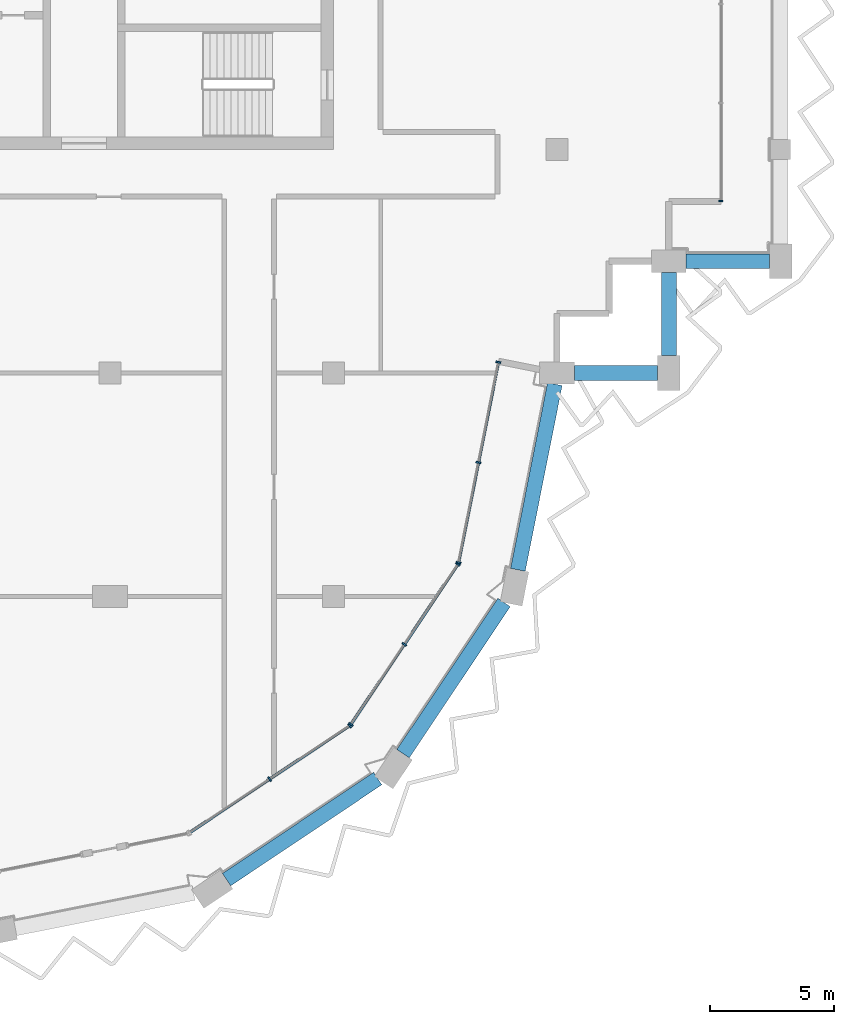
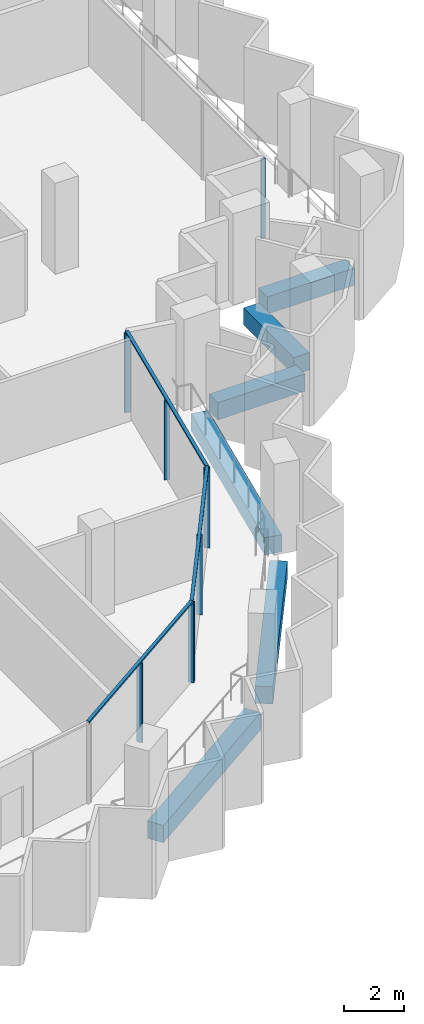
# One storey, part 3 of 14: 12 members, 6 beams, 4 elements without a shape of their own.
"""IFC4 building model written with IfcOpenShell, lengths in metres."""

from ifc_helpers import new_model, si_unit, direction, frame, origin, origin_2d, place, context, subcontext, project, spatial, rectangle, extrude, material, material_profile, profile_set, type_object, element, aggregate, save


model = new_model("IFC4")

# Units and contexts
model_context = context("Model", 3, precision=1e-05, world=origin(), true_north=direction((0.0, 1.0)))
body_context = subcontext(model_context, "Body", "Model", "MODEL_VIEW")
ifc_project = project(units=[si_unit("LENGTHUNIT", "METRE"), si_unit("AREAUNIT", "SQUARE_METRE"), si_unit("VOLUMEUNIT", "CUBIC_METRE"), si_unit("PLANEANGLEUNIT", "RADIAN"), si_unit("MASSUNIT", "GRAM", prefix="KILO")], contexts=[model_context])

# Site, building, storey
site_placement = place(None, origin())
site = spatial("IfcSite", under=ifc_project, at=site_placement, CompositionType="ELEMENT")
building_placement = place(site_placement, origin())
building = spatial("IfcBuilding", under=site, at=building_placement, Name="Hunhe Ridgeline Campus", CompositionType="ELEMENT")
storey_placement = place(building_placement, frame((0.0, 0.0, 284.5)))
storey = spatial("IfcBuildingStorey", under=building, at=storey_placement, Name="L73", CompositionType="ELEMENT", Elevation=284.5)

# Curtain wall, member
ifc_material_1 = material(Name="Aluminium 6063", Category="aluminium")
curtain_wall_type_1 = type_object("IfcCurtainWallType", Name="Curtain wall CW-1", PredefinedType="NOTDEFINED", material=ifc_material_1)
curtain_wall_1_placement = place(storey_placement, origin())
curtain_wall_1 = element("IfcCurtainWall", 1, at=curtain_wall_1_placement, inside=storey, type_object=curtain_wall_type_1, Name="Curtain wall 11", PredefinedType="NOTDEFINED")
ifc_material_profile_1 = material_profile(ifc_material_1, rectangle(XDim=0.159912109375, YDim=0.06005859375, at=origin_2d()))
ifc_profile_set_1 = profile_set([ifc_material_profile_1], Name="Aluminium 6063")
member_type_1 = type_object("IfcMemberType", Name="CW-1 aluminium mullion", PredefinedType="MULLION", material=ifc_profile_set_1)
member_1_placement = place(storey_placement, frame((51.59912109375, 60.930908203125, 0.0), z_axis=(0.0, 0.0, 1.0), x_axis=(-1.0, 0.0, 0.0)))
member_1 = element("IfcMember", 2, at=member_1_placement, type_object=member_type_1, Name="CW-1 mullion 1", PredefinedType="MULLION", context=body_context, shape_type="SweptSolid", body=[
    extrude(rectangle(XDim=0.159912109375, YDim=0.06005859375, at=origin_2d()), origin(), (0.0, 0.0, 1.0), 3.239990234375),
])
aggregate(curtain_wall_1, [member_1])

# Curtain wall, members
curtain_wall_type_2 = type_object("IfcCurtainWallType", Name="Curtain wall CW-5", PredefinedType="NOTDEFINED", material=ifc_material_1)
curtain_wall_2_placement = place(storey_placement, origin())
curtain_wall_2 = element("IfcCurtainWall", 3, at=curtain_wall_2_placement, inside=storey, type_object=curtain_wall_type_2, Name="Curtain wall 08", PredefinedType="NOTDEFINED")
ifc_material_profile_2 = material_profile(ifc_material_1, rectangle(XDim=0.199951171875, YDim=0.070068359375, at=origin_2d()))
ifc_profile_set_2 = profile_set([ifc_material_profile_2], Name="Aluminium 6063")
member_type_2 = type_object("IfcMemberType", Name="CW-5 aluminium mullion", PredefinedType="MULLION", material=ifc_profile_set_2)
member_2_placement = place(storey_placement, frame((33.42626953125, 37.647705078125, 0.0), z_axis=(0.0, 0.0, 1.0), x_axis=(-0.555570274596, 0.831469584522, 0.0)))
member_2 = element("IfcMember", 4, at=member_2_placement, type_object=member_type_2, Name="CW-5 mullion 2", PredefinedType="MULLION", context=body_context, shape_type="SweptSolid", body=[
    extrude(rectangle(XDim=0.199951171875, YDim=0.070068359375, at=origin_2d()), origin(), (0.0, 0.0, 1.0), 3.22998046875),
])
member_3_placement = place(storey_placement, frame((36.649658203125, 39.8017578125, 0.0), z_axis=(0.0, 0.0, 1.0), x_axis=(-0.555570274596, 0.831469584522, 0.0)))
member_3 = element("IfcMember", 5, at=member_3_placement, type_object=member_type_2, Name="CW-5 mullion 3", PredefinedType="MULLION", context=body_context, shape_type="SweptSolid", body=[
    extrude(rectangle(XDim=0.199951171875, YDim=0.070068359375, at=origin_2d()), origin(), (0.0, 0.0, 1.0), 3.22998046875),
])

curtain_wall_3_placement = place(storey_placement, origin())
curtain_wall_3 = element("IfcCurtainWall", 6, at=curtain_wall_3_placement, inside=storey, type_object=curtain_wall_type_2, Name="Curtain wall 09", PredefinedType="NOTDEFINED")
member_4_placement = place(storey_placement, frame((36.6982421875, 39.850341796875, 0.0), z_axis=(0.0, 0.0, 1.0), x_axis=(-0.831469584522, 0.555570274596, 0.0)))
member_4 = element("IfcMember", 7, at=member_4_placement, type_object=member_type_2, Name="CW-5 mullion 1", PredefinedType="MULLION", context=body_context, shape_type="SweptSolid", body=[
    extrude(rectangle(XDim=0.199951171875, YDim=0.070068359375, at=origin_2d()), origin(), (0.0, 0.0, 1.0), 3.22998046875),
])
member_5_placement = place(storey_placement, frame((38.852294921875, 43.07373046875, 0.0), z_axis=(0.0, 0.0, 1.0), x_axis=(-0.831469584522, 0.555570274596, 0.0)))
member_5 = element("IfcMember", 8, at=member_5_placement, type_object=member_type_2, Name="CW-5 mullion 2", PredefinedType="MULLION", context=body_context, shape_type="SweptSolid", body=[
    extrude(rectangle(XDim=0.199951171875, YDim=0.070068359375, at=origin_2d()), origin(), (0.0, 0.0, 1.0), 3.22998046875),
])
member_6_placement = place(storey_placement, frame((41.006103515625, 46.29736328125, 0.0), z_axis=(0.0, 0.0, 1.0), x_axis=(-0.831469584522, 0.555570274596, 0.0)))
member_6 = element("IfcMember", 9, at=member_6_placement, type_object=member_type_2, Name="CW-5 mullion 3", PredefinedType="MULLION", context=body_context, shape_type="SweptSolid", body=[
    extrude(rectangle(XDim=0.199951171875, YDim=0.070068359375, at=origin_2d()), origin(), (0.0, 0.0, 1.0), 3.22998046875),
])

curtain_wall_4_placement = place(storey_placement, origin())
curtain_wall_4 = element("IfcCurtainWall", 10, at=curtain_wall_4_placement, inside=storey, type_object=curtain_wall_type_2, Name="Curtain wall 10", PredefinedType="NOTDEFINED")
member_7_placement = place(storey_placement, frame((41.032470703125, 46.36083984375, 0.0), z_axis=(0.0, 0.0, 1.0), x_axis=(-0.980782515828, 0.19510421996, 0.0)))
member_7 = element("IfcMember", 11, at=member_7_placement, type_object=member_type_2, Name="CW-5 mullion 1", PredefinedType="MULLION", context=body_context, shape_type="SweptSolid", body=[
    extrude(rectangle(XDim=0.199951171875, YDim=0.070068359375, at=origin_2d()), origin(), (0.0, 0.0, 1.0), 3.22998046875),
])
member_8_placement = place(storey_placement, frame((41.83544921875, 50.397705078125, 0.0), z_axis=(0.0, 0.0, 1.0), x_axis=(-0.980782515828, 0.19510421996, 0.0)))
member_8 = element("IfcMember", 12, at=member_8_placement, type_object=member_type_2, Name="CW-5 mullion 2", PredefinedType="MULLION", context=body_context, shape_type="SweptSolid", body=[
    extrude(rectangle(XDim=0.199951171875, YDim=0.070068359375, at=origin_2d()), origin(), (0.0, 0.0, 1.0), 3.22998046875),
])
member_9_placement = place(storey_placement, frame((42.638427734375, 54.4345703125, 0.0), z_axis=(0.0, 0.0, 1.0), x_axis=(-0.980782515828, 0.19510421996, 0.0)))
member_9 = element("IfcMember", 13, at=member_9_placement, type_object=member_type_2, Name="CW-5 mullion 3", PredefinedType="MULLION", context=body_context, shape_type="SweptSolid", body=[
    extrude(rectangle(XDim=0.199951171875, YDim=0.070068359375, at=origin_2d()), origin(), (0.0, 0.0, 1.0), 3.22998046875),
])

# Member
ifc_material_profile_3 = material_profile(ifc_material_1, rectangle(XDim=0.1201171875, YDim=0.070068359375, at=origin_2d()))
ifc_profile_set_3 = profile_set([ifc_material_profile_3], Name="Aluminium 6063")
member_type_3 = type_object("IfcMemberType", Name="CW-5 aluminium transom", PredefinedType="USERDEFINED", material=ifc_profile_set_3)
member_10_placement = place(storey_placement, frame((30.173583984375, 35.474365234375, 3.264892578125), z_axis=(0.831473763475, 0.5555640203, 0.0), x_axis=(-0.5555640203, 0.831473763475, 0.0)))
member_10 = element("IfcMember", 14, at=member_10_placement, type_object=member_type_3, Name="CW-5 transom 1", ObjectType="TRANSOM", PredefinedType="USERDEFINED", context=body_context, shape_type="SweptSolid", body=[
    extrude(rectangle(XDim=0.1201171875, YDim=0.070068359375, at=origin_2d()), origin(), (0.0, 0.0, 1.0), 7.823974609375),
])

aggregate(curtain_wall_2, [member_10, member_2, member_3])

member_11_placement = place(storey_placement, frame((36.678955078125, 39.821044921875, 3.264892578125), z_axis=(0.5555640203, 0.831473763475, 0.0), x_axis=(-0.831473763475, 0.5555640203, 0.0)))
member_11 = element("IfcMember", 15, at=member_11_placement, type_object=member_type_3, Name="CW-5 transom 1", ObjectType="TRANSOM", PredefinedType="USERDEFINED", context=body_context, shape_type="SweptSolid", body=[
    extrude(rectangle(XDim=0.1201171875, YDim=0.070068359375, at=origin_2d()), origin(), (0.0, 0.0, 1.0), 7.823974609375),
])

aggregate(curtain_wall_3, [member_11, member_4, member_5, member_6])

member_12_placement = place(storey_placement, frame((41.025634765625, 46.326416015625, 3.264892578125), z_axis=(0.195092405068, 0.980784866056, 0.0), x_axis=(-0.980784866056, 0.195092405068, 0.0)))
member_12 = element("IfcMember", 16, at=member_12_placement, type_object=member_type_3, Name="CW-5 transom 1", ObjectType="TRANSOM", PredefinedType="USERDEFINED", context=body_context, shape_type="SweptSolid", body=[
    extrude(rectangle(XDim=0.1201171875, YDim=0.070068359375, at=origin_2d()), origin(), (0.0, 0.0, 1.0), 8.3017578125),
])

aggregate(curtain_wall_4, [member_12, member_7, member_8, member_9])

# Beams
ifc_material_2 = material(Name="Concrete C50", Category="concrete")
ifc_material_profile_4 = material_profile(ifc_material_2, rectangle(XDim=0.60009765625, YDim=0.699951171875, at=origin_2d()))
ifc_profile_set_4 = profile_set([ifc_material_profile_4], Name="Concrete C50")
beam_type = type_object("IfcBeamType", Name="RC spandrel beam 600x700 Concrete C50", PredefinedType="SPANDREL", material=ifc_profile_set_4)
beam_1_placement = place(storey_placement, frame((31.6923828125, 33.6015625, -0.60009765625), z_axis=(0.831470141209, 0.555569441455, 0.0), x_axis=(-0.555569441455, 0.831470141209, 0.0)))
element("IfcBeam", 17, at=beam_1_placement, inside=storey, type_object=beam_type, Name="Spandrel beam B4-6 L73", PredefinedType="SPANDREL", context=body_context, shape_type="SweptSolid", body=[
    extrude(rectangle(XDim=0.60009765625, YDim=0.699951171875, at=origin_2d()), origin(), (0.0, 0.0, 1.0), 7.321533203125),
])
beam_2_placement = place(storey_placement, frame((38.798828125, 38.672119140625, -0.60009765625), z_axis=(0.555584845389, 0.831459848444, 0.0), x_axis=(-0.831459848444, 0.555584845389, 0.0)))
element("IfcBeam", 18, at=beam_2_placement, inside=storey, type_object=beam_type, Name="Spandrel beam B4-7 L73", PredefinedType="SPANDREL", context=body_context, shape_type="SweptSolid", body=[
    extrude(rectangle(XDim=0.60009765625, YDim=0.699951171875, at=origin_2d()), origin(), (0.0, 0.0, 1.0), 7.3212890625),
])
beam_3_placement = place(storey_placement, frame((43.423828125, 46.076171875, -0.60009765625), z_axis=(0.195080943744, 0.980787145811, 0.0), x_axis=(-0.980787145811, 0.195080943744, 0.0)))
element("IfcBeam", 19, at=beam_3_placement, inside=storey, type_object=beam_type, Name="Spandrel beam B4-8 L73", PredefinedType="SPANDREL", context=body_context, shape_type="SweptSolid", body=[
    extrude(rectangle(XDim=0.60009765625, YDim=0.699951171875, at=origin_2d()), origin(), (0.0, 0.0, 1.0), 7.620361328125),
])
for number, where, z_axis, x_axis, name in (
    (20, (45.699951171875, 54.0, -0.60009765625), (1.0, 0.0, 0.0), (0.0, 1.0, 0.0), "Spandrel beam B4-9 L73"),
    (21, (49.5, 54.699951171875, -0.60009765625), (0.0, 1.0, 0.0), (-1.0, 0.0, 0.0), "Spandrel beam B4-10 L73"),
    (22, (50.199951171875, 58.5, -0.60009765625), (1.0, 0.0, 0.0), (0.0, 1.0, 0.0), "Spandrel beam B4-11 L73"),
):
    element("IfcBeam", number, at=place(storey_placement, frame(where, z_axis=z_axis, x_axis=x_axis)), inside=storey, type_object=beam_type, Name=name, PredefinedType="SPANDREL", context=body_context, shape_type="SweptSolid", body=[
        extrude(rectangle(XDim=0.60009765625, YDim=0.699951171875, at=origin_2d()), origin(), (0.0, 0.0, 1.0), 3.35009765625),
    ])

save(model, "model.ifc")
